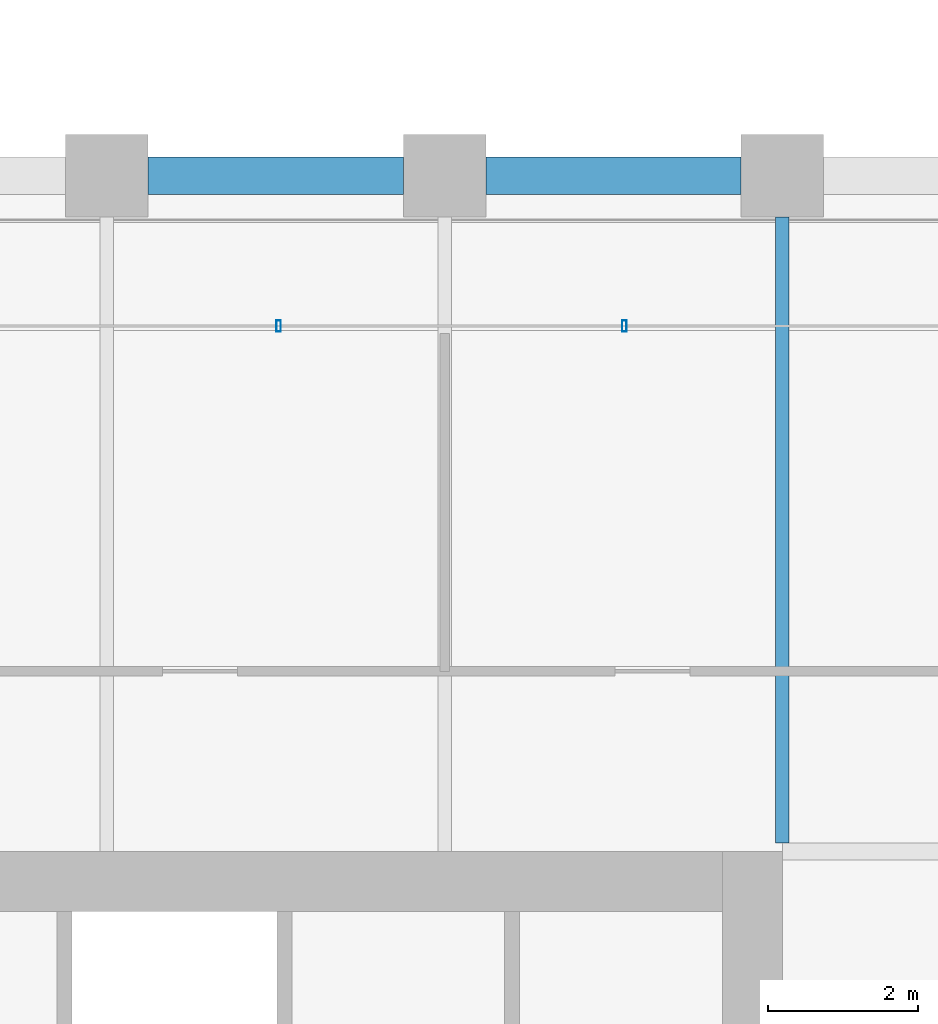
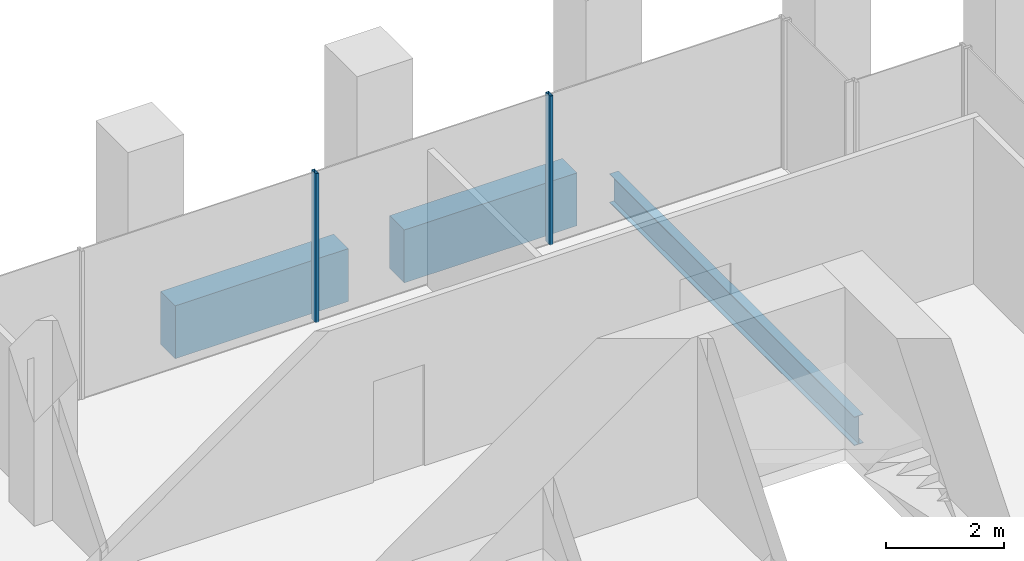
# One storey, part 44 of 56: 3 beams, 2 members, 1 element without a shape of its own.
"""IFC4 building model written with IfcOpenShell, lengths in metres."""

from ifc_helpers import new_model, si_unit, direction, frame, origin, origin_2d, place, context, subcontext, project, spatial, rectangle, hollow_rectangle, i_section, extrude, material, material_profile, profile_set, type_object, element, aggregate, save


model = new_model("IFC4")

# Units and contexts
model_context = context("Model", 3, precision=1e-05, world=origin(), true_north=direction((0.0, 1.0)))
body_context = subcontext(model_context, "Body", "Model", "MODEL_VIEW")
ifc_project = project(units=[si_unit("LENGTHUNIT", "METRE"), si_unit("AREAUNIT", "SQUARE_METRE"), si_unit("VOLUMEUNIT", "CUBIC_METRE"), si_unit("PLANEANGLEUNIT", "RADIAN"), si_unit("MASSUNIT", "GRAM", prefix="KILO")], contexts=[model_context])

# Site, building, storey
site_placement = place(None, origin())
site = spatial("IfcSite", under=ifc_project, at=site_placement, CompositionType="ELEMENT")
building_placement = place(site_placement, origin())
building = spatial("IfcBuilding", under=site, at=building_placement, Name="Altepetl Exchange Towers", CompositionType="ELEMENT")
storey_placement = place(building_placement, frame((0.0, 0.0, 69.0)))
storey = spatial("IfcBuildingStorey", under=building, at=storey_placement, Name="L16", CompositionType="ELEMENT", Elevation=69.0)

# Beam
ifc_material_1 = material(Name="Steel S355", Category="steel")
ifc_material_profile_1 = material_profile(ifc_material_1, i_section(OverallWidth=0.177978515625, OverallDepth=0.59912109375, WebThickness=0.010009765625, FlangeThickness=0.0126953125, at=origin_2d()), Name="W24X55")
ifc_profile_set_1 = profile_set([ifc_material_profile_1], Name="Steel S355")
beam_type_1 = type_object("IfcBeamType", Name="Floor beam W24X55", PredefinedType="BEAM", material=ifc_profile_set_1)
beam_placement = place(storey_placement, frame((117.0, 49.614013671875, -0.449462890625), z_axis=(0.0, 1.0, 0.0), x_axis=(-1.0, 0.0, 0.0)))
element("IfcBeam", 1, at=beam_placement, inside=storey, type_object=beam_type_1, Name="bm:B:L16:002", PredefinedType="BEAM", context=body_context, shape_type="SweptSolid", body=[
    extrude(i_section(OverallWidth=0.177978515625, OverallDepth=0.59912109375, WebThickness=0.010009765625, FlangeThickness=0.0126953125, at=origin_2d()), origin(), (0.0, 0.0, 1.0), 8.3359375),
])

# Curtain wall, members
ifc_material_2 = material(Name="Aluminium 6063-T6 glazing", Category="aluminium")
curtain_wall_type = type_object("IfcCurtainWallType", Name="Loggia glazing system", PredefinedType="NOTDEFINED", material=ifc_material_2)
curtain_wall_placement = place(storey_placement, origin())
curtain_wall = element("IfcCurtainWall", 2, at=curtain_wall_placement, inside=storey, type_object=curtain_wall_type, Name="CW1 run", PredefinedType="NOTDEFINED")
ifc_material_3 = material(Name="Aluminium 6063-T6", Category="aluminium")
ifc_material_profile_2 = material_profile(ifc_material_3, hollow_rectangle(XDim=0.06005859375, YDim=0.14990234375, WallThickness=0.0029296875, at=origin_2d()), Name="Mullion 60x150 aluminium")
ifc_profile_set_2 = profile_set([ifc_material_profile_2], Name="Aluminium 6063-T6")
member_type = type_object("IfcMemberType", Name="Mullion 60x150 aluminium", PredefinedType="MULLION", material=ifc_profile_set_2)
member_1_placement = place(storey_placement, frame((114.893798828125, 56.5, 0.0), z_axis=(0.0, 0.0, 1.0), x_axis=(-1.0, 0.0, 0.0)))
member_1 = element("IfcMember", 3, at=member_1_placement, type_object=member_type, Name="MU1 mullion", PredefinedType="MULLION", context=body_context, shape_type="SweptSolid", body=[
    extrude(hollow_rectangle(XDim=0.06005859375, YDim=0.14990234375, WallThickness=0.0029296875, at=origin_2d()), origin(), (0.0, 0.0, 1.0), 3.10009765625),
])
member_2_placement = place(storey_placement, frame((110.28759765625, 56.5, 0.0), z_axis=(0.0, 0.0, 1.0), x_axis=(-1.0, 0.0, 0.0)))
member_2 = element("IfcMember", 4, at=member_2_placement, type_object=member_type, Name="MU1 mullion", PredefinedType="MULLION", context=body_context, shape_type="SweptSolid", body=[
    extrude(hollow_rectangle(XDim=0.06005859375, YDim=0.14990234375, WallThickness=0.0029296875, at=origin_2d()), origin(), (0.0, 0.0, 1.0), 3.10009765625),
])
aggregate(curtain_wall, [member_1, member_2])

# Beams
ifc_material_4 = material(Name="Concrete C50/60 precast with cantera amarilla facing", Category="concrete")
ifc_material_profile_3 = material_profile(ifc_material_4, rectangle(XDim=0.5, YDim=1.10009765625, at=origin_2d()), Name="500 x 1100")
ifc_profile_set_3 = profile_set([ifc_material_profile_3], Name="Concrete C50/60 precast with cantera amarilla facing")
beam_type_2 = type_object("IfcBeamType", Name="Spandrel beam 500x1100 cantera amarilla", PredefinedType="SPANDREL", material=ifc_profile_set_3)
for number, where, z_axis, x_axis, name in (
    (5, (116.449951171875, 58.5, -0.699951171875), (-1.0, 0.0, 0.0), (0.0, -1.0, 0.0), "sp:B:L16:019"),
    (6, (111.949951171875, 58.5, -0.699951171875), (-1.0, 0.0, 0.0), (0.0, -1.0, 0.0), "sp:B:L16:020"),
):
    element("IfcBeam", number, at=place(storey_placement, frame(where, z_axis=z_axis, x_axis=x_axis)), inside=storey, type_object=beam_type_2, Name=name, PredefinedType="SPANDREL", context=body_context, shape_type="SweptSolid", body=[
        extrude(rectangle(XDim=0.5, YDim=1.10009765625, at=origin_2d()), origin(), (0.0, 0.0, 1.0), 3.39990234375),
    ])

save(model, "model.ifc")
